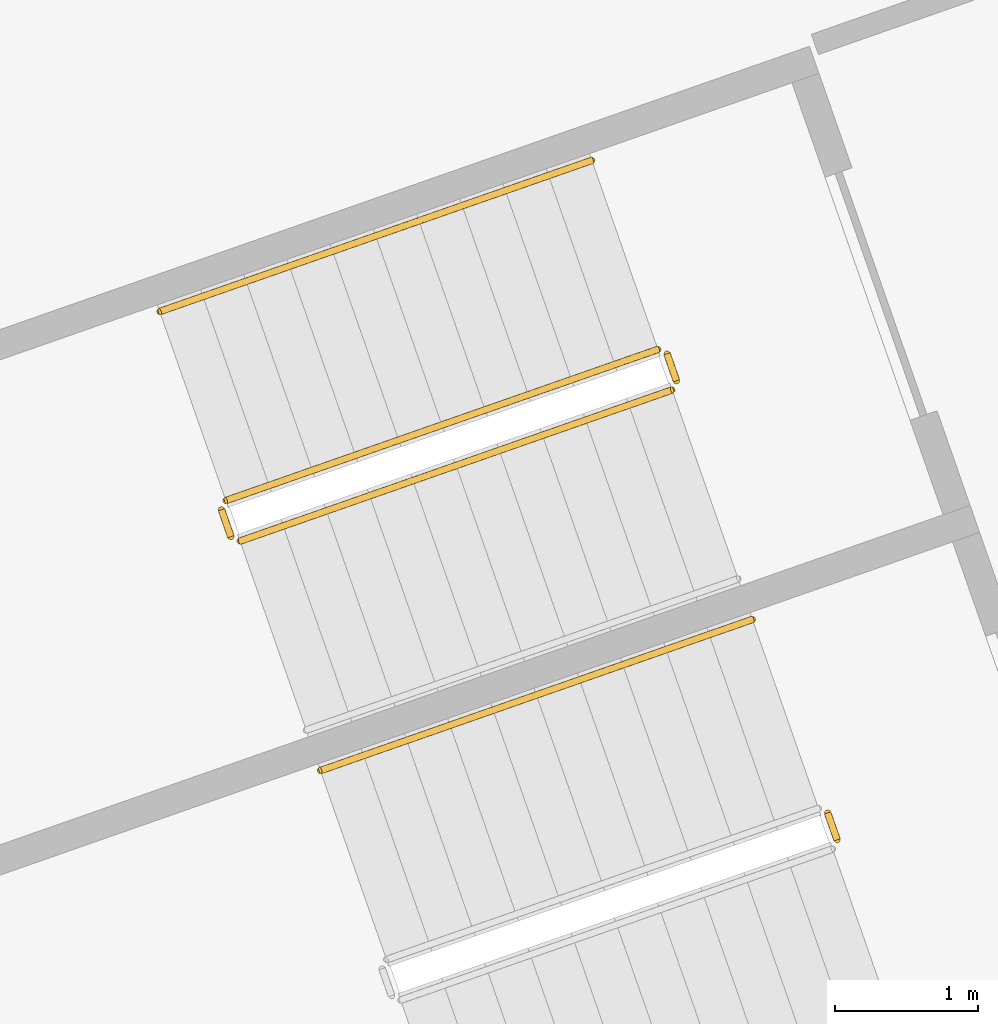
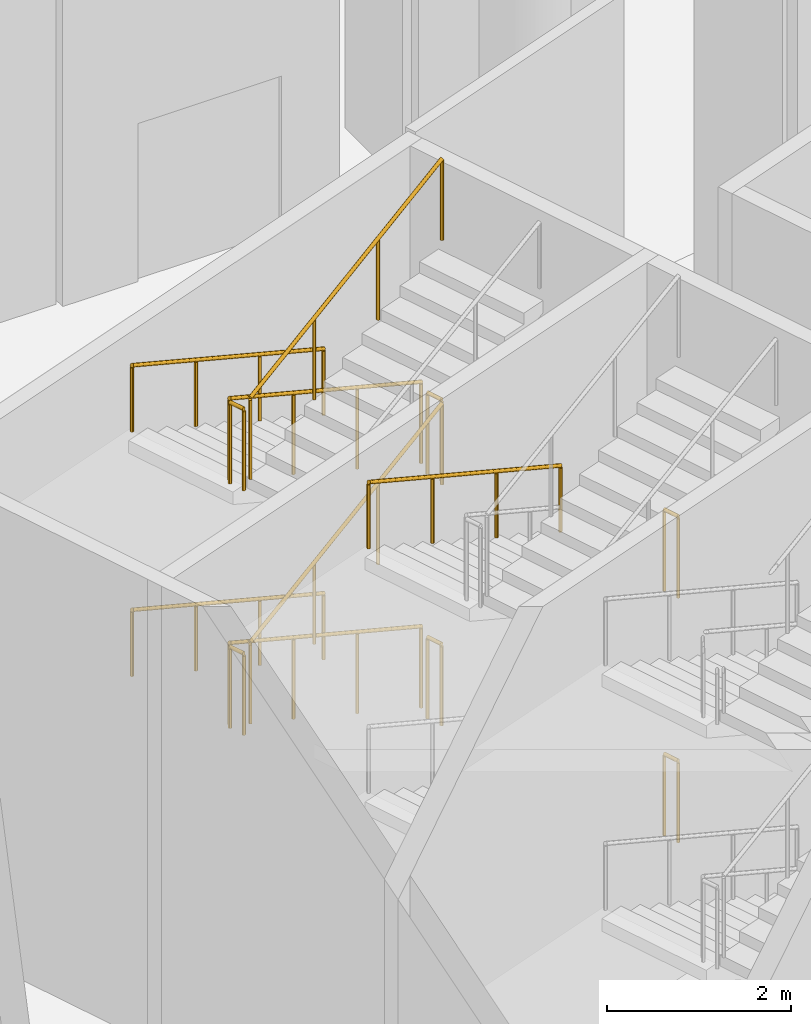
# One storey, part 188 of 255: 13 railings.
"""IFC4 building model written with IfcOpenShell, lengths in metres."""

from ifc_helpers import new_model, si_unit, direction, frame, origin, origin_2d, place, context, subcontext, project, spatial, circle, extrude, material, type_object, element, save


model = new_model("IFC4")

# Units and contexts
model_context = context("Model", 3, precision=1e-05, world=origin(), true_north=direction((0.0, 1.0)))
body_context = subcontext(model_context, "Body", "Model", "MODEL_VIEW")
ifc_project = project(units=[si_unit("LENGTHUNIT", "METRE"), si_unit("AREAUNIT", "SQUARE_METRE"), si_unit("VOLUMEUNIT", "CUBIC_METRE"), si_unit("PLANEANGLEUNIT", "RADIAN"), si_unit("MASSUNIT", "GRAM", prefix="KILO")], contexts=[model_context])

# Site, building, storey
site_placement = place(None, origin())
site = spatial("IfcSite", under=ifc_project, at=site_placement, CompositionType="ELEMENT")
building_placement = place(site_placement, origin())
building = spatial("IfcBuilding", under=site, at=building_placement, Name="Meseta Stadium", CompositionType="ELEMENT")
storey_placement = place(building_placement, origin())
storey = spatial("IfcBuildingStorey", under=building, at=storey_placement, Name="L00", CompositionType="ELEMENT", Elevation=0.0)

# Railings
ifc_material_1 = material(Name="Steel S355", Category="steel")
railing_type_1 = type_object("IfcRailingType", Name="Stair guard 1100", PredefinedType="GUARDRAIL", material=ifc_material_1)
railing_1_placement = place(storey_placement, frame((-88.88720703125, -59.44482421875, 0.147705078125)))
element("IfcRailing", 1, at=railing_1_placement, inside=storey, type_object=railing_type_1, Name="ST77 L00 guard 1", PredefinedType="GUARDRAIL", context=body_context, shape_type="SweptSolid", body=[
    extrude(circle(Radius=0.02392578125, at=origin_2d()), frame((0.0, 0.0, 1.076171875), z_axis=(-0.856976550022, -0.299858671601, 0.419137172986), x_axis=(0.330268863922, -0.943886898693, 0.0)), (0.0, 0.0, 1.0), 3.524658203125),
    extrude(circle(Radius=0.02099609375, at=origin_2d()), origin(), (0.0, 0.0, 1.0), 1.052001953125),
    extrude(circle(Radius=0.02099609375, at=origin_2d()), frame((-1.0068359375, -0.352294921875, 0.492431640625)), (0.0, 0.0, 1.0), 1.052001953125),
    extrude(circle(Radius=0.02099609375, at=origin_2d()), frame((-2.013671875, -0.70458984375, 0.98486328125)), (0.0, 0.0, 1.0), 1.052001953125),
    extrude(circle(Radius=0.02099609375, at=origin_2d()), frame((-3.0205078125, -1.056884765625, 1.477294921875)), (0.0, 0.0, 1.0), 1.052001953125),
])
railing_2_placement = place(storey_placement, frame((-91.9384765625, -60.5654296875, 1.625)))
element("IfcRailing", 2, at=railing_2_placement, inside=storey, type_object=railing_type_1, Name="ST77 L00 guard 2", PredefinedType="GUARDRAIL", context=body_context, shape_type="SweptSolid", body=[
    extrude(circle(Radius=0.02392578125, at=origin_2d()), frame((0.0, 0.0, 1.076171875), z_axis=(0.330839792317, -0.943686935281, 0.0), x_axis=(0.943686935281, 0.330839792317, 0.0)), (0.0, 0.0, 1.0), 0.199951171875),
    extrude(circle(Radius=0.02099609375, at=origin_2d()), origin(), (0.0, 0.0, 1.0), 1.052001953125),
    extrude(circle(Radius=0.02099609375, at=origin_2d()), frame((0.066162109375, -0.188720703125, 0.0)), (0.0, 0.0, 1.0), 1.052001953125),
])
railing_3_placement = place(storey_placement, frame((-91.80859375, -60.784912109375, 1.772705078125)))
element("IfcRailing", 3, at=railing_3_placement, inside=storey, type_object=railing_type_1, Name="ST77 L00 guard 3", PredefinedType="GUARDRAIL", context=body_context, shape_type="SweptSolid", body=[
    extrude(circle(Radius=0.02392578125, at=origin_2d()), frame((0.0, 0.0, 1.076171875), z_axis=(0.856976550022, 0.299858671601, 0.419137172986), x_axis=(-0.330268863922, 0.943886898693, 0.0)), (0.0, 0.0, 1.0), 3.524658203125),
    extrude(circle(Radius=0.02099609375, at=origin_2d()), origin(), (0.0, 0.0, 1.0), 1.052001953125),
    extrude(circle(Radius=0.02099609375, at=origin_2d()), frame((1.0068359375, 0.352294921875, 0.492431640625)), (0.0, 0.0, 1.0), 1.052001953125),
    extrude(circle(Radius=0.02099609375, at=origin_2d()), frame((2.013671875, 0.70458984375, 0.98486328125)), (0.0, 0.0, 1.0), 1.052001953125),
    extrude(circle(Radius=0.02099609375, at=origin_2d()), frame((3.0205078125, 1.056884765625, 1.477294921875)), (0.0, 0.0, 1.0), 1.052001953125),
])
railing_4_placement = place(storey_placement, frame((-88.823486328125, -59.475341796875, 3.25)))
element("IfcRailing", 4, at=railing_4_placement, inside=storey, type_object=railing_type_1, Name="ST77 L00 guard 4", PredefinedType="GUARDRAIL", context=body_context, shape_type="SweptSolid", body=[
    extrude(circle(Radius=0.02392578125, at=origin_2d()), frame((0.0, 0.0, 1.076171875), z_axis=(0.329372156318, -0.944200181446, 0.0), x_axis=(0.944200181446, 0.329372156318, 0.0)), (0.0, 0.0, 1.0), 0.2001953125),
    extrude(circle(Radius=0.02099609375, at=origin_2d()), origin(), (0.0, 0.0, 1.0), 1.052001953125),
    extrude(circle(Radius=0.02099609375, at=origin_2d()), frame((0.06591796875, -0.18896484375, 0.0)), (0.0, 0.0, 1.0), 1.052001953125),
])
railing_5_placement = place(storey_placement, frame((-88.88720703125, -59.44482421875, 3.397705078125)))
element("IfcRailing", 5, at=railing_5_placement, inside=storey, type_object=railing_type_1, Name="ST77 L00 guard 5", PredefinedType="GUARDRAIL", context=body_context, shape_type="SweptSolid", body=[
    extrude(circle(Radius=0.02392578125, at=origin_2d()), frame((0.0, 0.0, 1.076171875), z_axis=(-0.856976550022, -0.299858671601, 0.419137172986), x_axis=(0.330268863922, -0.943886898693, 0.0)), (0.0, 0.0, 1.0), 3.524658203125),
    extrude(circle(Radius=0.02099609375, at=origin_2d()), origin(), (0.0, 0.0, 1.0), 1.052001953125),
    extrude(circle(Radius=0.02099609375, at=origin_2d()), frame((-1.0068359375, -0.352294921875, 0.492431640625)), (0.0, 0.0, 1.0), 1.052001953125),
    extrude(circle(Radius=0.02099609375, at=origin_2d()), frame((-2.013671875, -0.70458984375, 0.98486328125)), (0.0, 0.0, 1.0), 1.052001953125),
    extrude(circle(Radius=0.02099609375, at=origin_2d()), frame((-3.0205078125, -1.056884765625, 1.477294921875)), (0.0, 0.0, 1.0), 1.052001953125),
])
railing_6_placement = place(storey_placement, frame((-91.9384765625, -60.5654296875, 4.875)))
element("IfcRailing", 6, at=railing_6_placement, inside=storey, type_object=railing_type_1, Name="ST77 L00 guard 6", PredefinedType="GUARDRAIL", context=body_context, shape_type="SweptSolid", body=[
    extrude(circle(Radius=0.02392578125, at=origin_2d()), frame((0.0, 0.0, 1.076171875), z_axis=(0.330839792317, -0.943686935281, 0.0), x_axis=(0.943686935281, 0.330839792317, 0.0)), (0.0, 0.0, 1.0), 0.199951171875),
    extrude(circle(Radius=0.02099609375, at=origin_2d()), origin(), (0.0, 0.0, 1.0), 1.052001953125),
    extrude(circle(Radius=0.02099609375, at=origin_2d()), frame((0.066162109375, -0.188720703125, 0.0)), (0.0, 0.0, 1.0), 1.052001953125),
])
railing_7_placement = place(storey_placement, frame((-91.80859375, -60.784912109375, 5.022705078125)))
element("IfcRailing", 7, at=railing_7_placement, inside=storey, type_object=railing_type_1, Name="ST77 L00 guard 7", PredefinedType="GUARDRAIL", context=body_context, shape_type="SweptSolid", body=[
    extrude(circle(Radius=0.02392578125, at=origin_2d()), frame((0.0, 0.0, 1.076171875), z_axis=(0.856976550022, 0.299858671601, 0.419137172986), x_axis=(-0.330268863922, 0.943886898693, 0.0)), (0.0, 0.0, 1.0), 3.524658203125),
    extrude(circle(Radius=0.02099609375, at=origin_2d()), origin(), (0.0, 0.0, 1.0), 1.052001953125),
    extrude(circle(Radius=0.02099609375, at=origin_2d()), frame((1.0068359375, 0.352294921875, 0.492431640625)), (0.0, 0.0, 1.0), 1.052001953125),
    extrude(circle(Radius=0.02099609375, at=origin_2d()), frame((2.013671875, 0.70458984375, 0.98486328125)), (0.0, 0.0, 1.0), 1.052001953125),
    extrude(circle(Radius=0.02099609375, at=origin_2d()), frame((3.0205078125, 1.056884765625, 1.477294921875)), (0.0, 0.0, 1.0), 1.052001953125),
])
railing_8_placement = place(storey_placement, frame((-88.823486328125, -59.475341796875, 0.0)))
element("IfcRailing", 8, at=railing_8_placement, inside=storey, type_object=railing_type_1, Name="ST77 L00 guard 8", PredefinedType="GUARDRAIL", context=body_context, shape_type="SweptSolid", body=[
    extrude(circle(Radius=0.02392578125, at=origin_2d()), frame((0.0, 0.0, 1.076171875), z_axis=(0.329372156318, -0.944200181446, 0.0), x_axis=(0.944200181446, 0.329372156318, 0.0)), (0.0, 0.0, 1.0), 0.2001953125),
    extrude(circle(Radius=0.02099609375, at=origin_2d()), origin(), (0.0, 0.0, 1.0), 1.052001953125),
    extrude(circle(Radius=0.02099609375, at=origin_2d()), frame((0.06591796875, -0.18896484375, 0.0)), (0.0, 0.0, 1.0), 1.052001953125),
])
for number, where, name in (
    (9, (-87.70068359375, -62.6845703125, 3.25), "ST78 L00 guard 4"),
    (10, (-87.70068359375, -62.6845703125, 0.0), "ST78 L00 guard 8"),
):
    element("IfcRailing", number, at=place(storey_placement, frame(where)), inside=storey, type_object=railing_type_1, Name=name, PredefinedType="GUARDRAIL", context=body_context, shape_type="SweptSolid", body=[
        extrude(circle(Radius=0.02392578125, at=origin_2d()), frame((0.0, 0.0, 1.076171875), z_axis=(0.330459055601, -0.943820328543, 0.0), x_axis=(0.943820328543, 0.330459055601, 0.0)), (0.0, 0.0, 1.0), 0.2001953125),
        extrude(circle(Radius=0.02099609375, at=origin_2d()), origin(), (0.0, 0.0, 1.0), 1.052001953125),
        extrude(circle(Radius=0.02099609375, at=origin_2d()), frame((0.066162109375, -0.18896484375, 0.0)), (0.0, 0.0, 1.0), 1.052001953125),
    ])
ifc_material_2 = material(Name="Steel S355", Category="steel")
railing_type_2 = type_object("IfcRailingType", Name="Stair handrail 900", PredefinedType="HANDRAIL", material=ifc_material_2)
for number, where, name in (
    (11, (-89.349609375, -58.123291015625, 0.147705078125), "ST77 L00 handrail 1"),
    (12, (-89.349609375, -58.123291015625, 3.397705078125), "ST77 L00 handrail 3"),
):
    element("IfcRailing", number, at=place(storey_placement, frame(where)), inside=storey, type_object=railing_type_2, Name=name, PredefinedType="HANDRAIL", context=body_context, shape_type="SweptSolid", body=[
        extrude(circle(Radius=0.02392578125, at=origin_2d()), frame((0.0, 0.0, 0.8759765625), z_axis=(-0.856976550022, -0.299858671601, 0.419137172986), x_axis=(0.330268863922, -0.943886898693, 0.0)), (0.0, 0.0, 1.0), 3.524658203125),
        extrude(circle(Radius=0.02099609375, at=origin_2d()), origin(), (0.0, 0.0, 1.0), 0.851806640625),
        extrude(circle(Radius=0.02099609375, at=origin_2d()), frame((-1.0068359375, -0.352294921875, 0.492431640625)), (0.0, 0.0, 1.0), 0.851806640625),
        extrude(circle(Radius=0.02099609375, at=origin_2d()), frame((-2.013671875, -0.70458984375, 0.98486328125)), (0.0, 0.0, 1.0), 0.851806640625),
        extrude(circle(Radius=0.02099609375, at=origin_2d()), frame((-3.0205078125, -1.056884765625, 1.477294921875)), (0.0, 0.0, 1.0), 0.851806640625),
    ])
railing_9_placement = place(storey_placement, frame((-88.226806640625, -61.33251953125, 3.397705078125)))
element("IfcRailing", 13, at=railing_9_placement, inside=storey, type_object=railing_type_2, Name="ST78 L00 handrail 3", PredefinedType="HANDRAIL", context=body_context, shape_type="SweptSolid", body=[
    extrude(circle(Radius=0.02392578125, at=origin_2d()), frame((0.0, 0.0, 0.8759765625), z_axis=(-0.856958151566, -0.299876472244, 0.419162054412), x_axis=(0.330292648585, -0.943878576031, 0.0)), (0.0, 0.0, 1.0), 3.5244140625),
    extrude(circle(Radius=0.02099609375, at=origin_2d()), origin(), (0.0, 0.0, 1.0), 0.851806640625),
    extrude(circle(Radius=0.02099609375, at=origin_2d()), frame((-1.0068359375, -0.352294921875, 0.492431640625)), (0.0, 0.0, 1.0), 0.851806640625),
    extrude(circle(Radius=0.02099609375, at=origin_2d()), frame((-2.013427734375, -0.70458984375, 0.98486328125)), (0.0, 0.0, 1.0), 0.851806640625),
    extrude(circle(Radius=0.02099609375, at=origin_2d()), frame((-3.020263671875, -1.056884765625, 1.477294921875)), (0.0, 0.0, 1.0), 0.851806640625),
])

save(model, "model.ifc")
